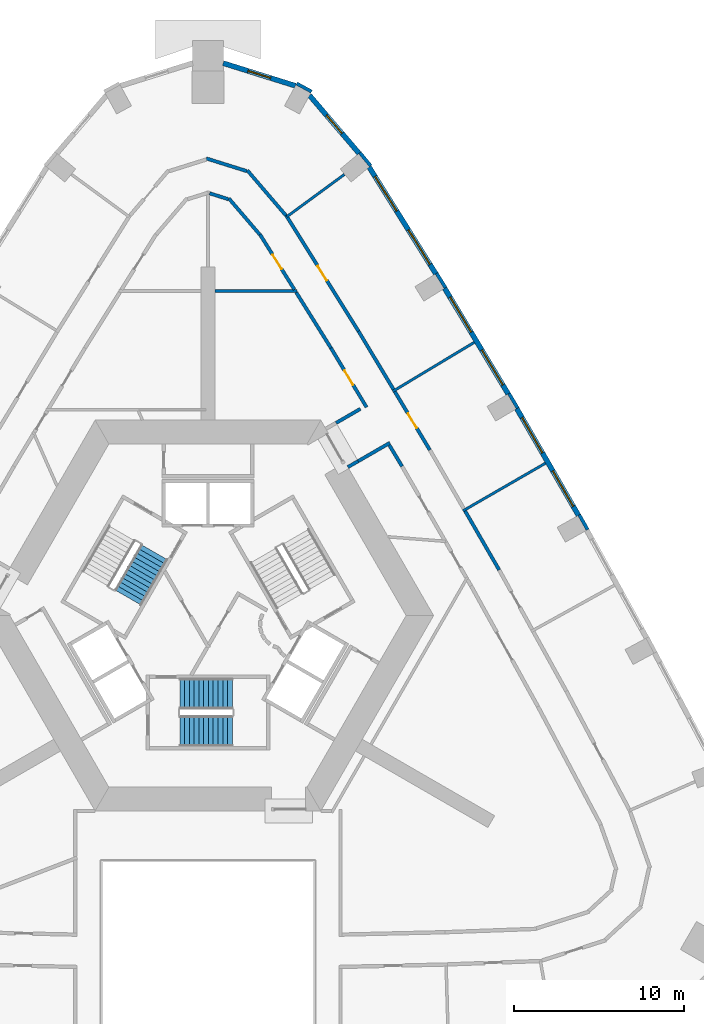
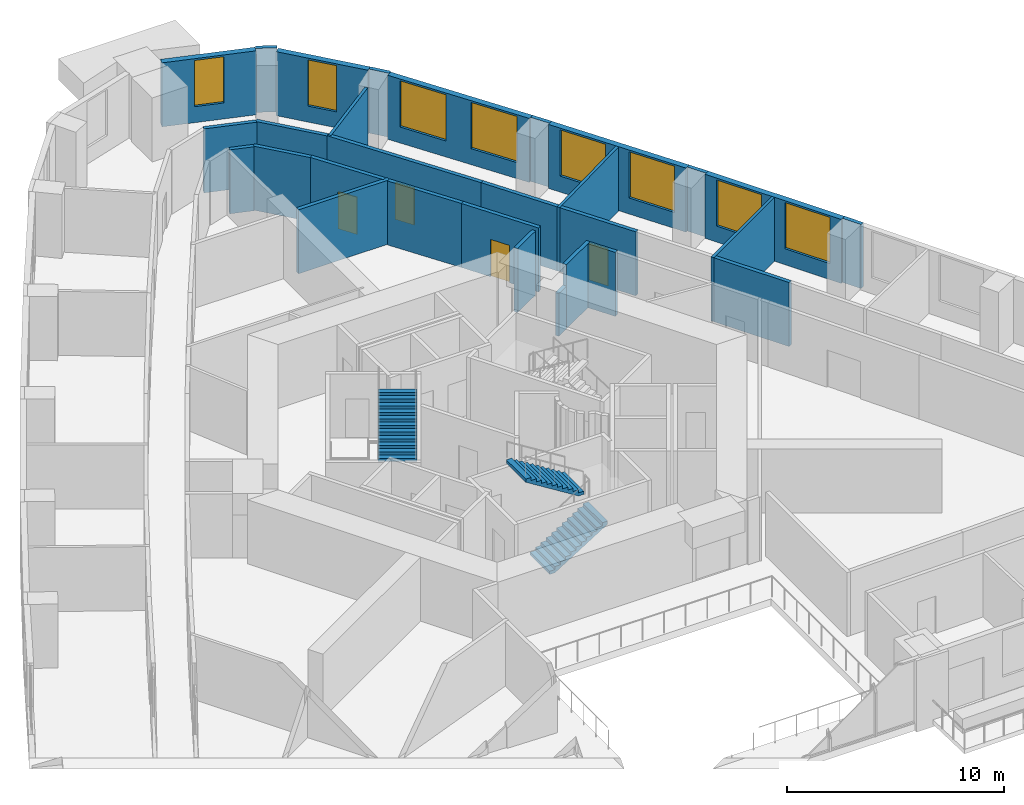
# One storey, part 9 of 13: 29 walls, 8 windows, 4 doors, 3 stair flights, 12 openings, 2 elements without a shape of their own.
"""IFC4 building model written with IfcOpenShell, lengths in metres."""

from ifc_helpers import new_model, si_unit, direction, frame, frame_2d, origin, place, context, subcontext, project, spatial, polyline, rectangle, outline, extrude, material, layer, layer_set, type_object, element, fill, aggregate, save


model = new_model("IFC4")

# Units and contexts
model_context = context("Model", 3, precision=1e-05, world=origin(), true_north=direction((0.0, 1.0)))
body_context = subcontext(model_context, "Body", "Model", "MODEL_VIEW")
ifc_project = project(units=[si_unit("LENGTHUNIT", "METRE"), si_unit("AREAUNIT", "SQUARE_METRE"), si_unit("VOLUMEUNIT", "CUBIC_METRE"), si_unit("PLANEANGLEUNIT", "RADIAN"), si_unit("MASSUNIT", "GRAM", prefix="KILO")], contexts=[model_context])

# Site, building, storey
site_placement = place(None, origin())
site = spatial("IfcSite", under=ifc_project, at=site_placement, CompositionType="ELEMENT")
building_placement = place(site_placement, origin())
building = spatial("IfcBuilding", under=site, at=building_placement, Name="Entoto Arch Interchange Tower", CompositionType="ELEMENT")
storey_placement = place(building_placement, frame((0.0, 0.0, 231.800048828125)))
storey = spatial("IfcBuildingStorey", under=building, at=storey_placement, Name="L52", CompositionType="ELEMENT", Elevation=231.800048828125)

# Walls
ifc_material_1 = material(Name="Gypsum board partition on steel studs", Category="steel")
ifc_layer_1 = layer(ifc_material_1, 0.14990234375)
ifc_layer_set_1 = layer_set([ifc_layer_1], Name="Gypsum board partition on steel studs")
wall_type_1 = type_object("IfcWallType", Name="PARTITION 150", PredefinedType="PARTITIONING", material=ifc_layer_set_1)
wall_1_placement = place(storey_placement, frame((15.010009765625, 8.6650390625, 0.0), z_axis=(0.0, 0.0, 1.0), x_axis=(0.865961984968, 0.500109828528, 0.0)))
element("IfcWall", 1, at=wall_1_placement, inside=storey, type_object=wall_type_1, Name="wall:L52:p118", PredefinedType="PARTITIONING", context=body_context, shape_type="SweptSolid", body=[
    extrude(rectangle(XDim=5.600830078125, YDim=0.14990234375, at=frame_2d((2.80029296875, 0.0))), origin(), (0.0, 0.0, 1.0), 3.599853515625),
])
wall_2_placement = place(storey_placement, frame((10.87109375, 15.69189453125, 0.0), z_axis=(0.0, 0.0, 1.0), x_axis=(0.857165756431, 0.515040645001, 0.0)))
element("IfcWall", 2, at=wall_2_placement, inside=storey, type_object=wall_type_1, Name="wall:L52:p119", PredefinedType="PARTITIONING", context=body_context, shape_type="SweptSolid", body=[
    extrude(rectangle(XDim=5.599609375, YDim=0.14990234375, at=frame_2d((2.7998046875, 0.0))), origin(), (0.0, 0.0, 1.0), 3.599853515625),
])
wall_3_placement = place(storey_placement, frame((4.64599609375, 25.97607421875, 0.0), z_axis=(0.0, 0.0, 1.0), x_axis=(0.806134630684, 0.591732166788, 0.0)))
element("IfcWall", 3, at=wall_3_placement, inside=storey, type_object=wall_type_1, Name="wall:L52:p120", PredefinedType="PARTITIONING", context=body_context, shape_type="SweptSolid", body=[
    extrude(rectangle(XDim=4.192626953125, YDim=0.14990234375, at=frame_2d((2.09619140625, 0.0))), origin(), (0.0, 0.0, 1.0), 3.599853515625),
])
ifc_layer_2 = layer(ifc_material_1, 0.199951171875)
ifc_layer_set_2 = layer_set([ifc_layer_2], Name="Gypsum board partition on steel studs")
wall_type_2 = type_object("IfcWallType", Name="PARTITION 200", PredefinedType="PARTITIONING", material=ifc_layer_set_2)
wall_4_placement = place(storey_placement, frame((11.419921875, 11.282958984375, 0.0), z_axis=(0.0, 0.0, 1.0), x_axis=(-0.514890585899, 0.857255903772, 0.0)))
element("IfcWall", 4, at=wall_4_placement, inside=storey, type_object=wall_type_2, Name="wall:L52:p007", PredefinedType="PARTITIONING", context=body_context, shape_type="SweptSolid", body=[
    extrude(rectangle(XDim=1.454833984375, YDim=0.199951171875, at=frame_2d((0.7275390625, 0.0))), origin(), (0.0, 0.0, 1.0), 3.599853515625),
])
wall_5_placement = place(storey_placement, frame((10.7060546875, 12.666015625, 0.0), z_axis=(0.0, 0.0, 1.0), x_axis=(-0.865862892194, -0.50028137275, 0.0)))
element("IfcWall", 5, at=wall_5_placement, inside=storey, type_object=wall_type_2, Name="wall:L52:p008", PredefinedType="PARTITIONING", context=body_context, shape_type="SweptSolid", body=[
    extrude(rectangle(XDim=2.155029296875, YDim=0.199951171875, at=frame_2d((1.07763671875, 0.0))), origin(), (0.0, 0.0, 1.0), 3.599853515625),
])

# Wall, opening, door
wall_6_placement = place(storey_placement, frame((9.33203125, 14.759033203125, 0.0), z_axis=(0.0, 0.0, 1.0), x_axis=(-0.514989912292, 0.857196237881, 0.0)))
wall_6 = element("IfcWall", 6, at=wall_6_placement, inside=storey, type_object=wall_type_2, Name="wall:L52:p010", PredefinedType="PARTITIONING", context=body_context, shape_type="SweptSolid", body=[
    extrude(rectangle(XDim=4.06787109375, YDim=0.199951171875, at=frame_2d((2.033935546875, 0.0))), origin(), (0.0, 0.0, 1.0), 3.599853515625),
])
opening_1_placement = place(wall_6_placement, frame((1.533935546875, 0.0, 0.0)))
opening_1 = element("IfcOpeningElement", 7, at=opening_1_placement, cuts=wall_6, Name="Opening L52-D16", PredefinedType="OPENING", context=body_context, shape_type="SweptSolid", body=[
    extrude(rectangle(XDim=1.0, YDim=2.10009765625, at=frame_2d((0.5, 1.050048828125))), frame((0.0, 0.10986328125, 0.0), z_axis=(0.0, -1.0, 0.0), x_axis=(1.0, 0.0, 0.0)), (0.0, 0.0, 1.0), 0.219970703125),
])
ifc_material_2 = material(Name="Timber door leaf in Steel S235 frame", Category="steel")
door_type = type_object("IfcDoorType", Name="DOOR DS-10 1000x2100", OperationType="SINGLE_SWING_LEFT", PredefinedType="DOOR", material=ifc_material_2)
door_1_placement = place(opening_1_placement, origin())
door_1 = element("IfcDoor", 8, at=door_1_placement, inside=storey, type_object=door_type, Name="door:L52:16", OperationType="SINGLE_SWING_LEFT", OverallHeight=2.10009765625, OverallWidth=1.0, PredefinedType="DOOR", context=body_context, shape_type="SweptSolid", body=[
    extrude(rectangle(XDim=1.0, YDim=2.10009765625, at=frame_2d((0.5, 1.050048828125))), frame((0.0, 0.02490234375, 0.0), z_axis=(0.0, -1.0, 0.0), x_axis=(1.0, 0.0, 0.0)), (0.0, 0.0, 1.0), 0.050048828125),
])
fill(opening_1, door_1)

# Wall
wall_7_placement = place(storey_placement, frame((7.237060546875, 18.24609375, 0.0), z_axis=(0.0, 0.0, 1.0), x_axis=(-0.530175390862, 0.847887996686, 0.0)))
element("IfcWall", 9, at=wall_7_placement, inside=storey, type_object=wall_type_2, Name="wall:L52:p011", PredefinedType="PARTITIONING", context=body_context, shape_type="SweptSolid", body=[
    extrude(rectangle(XDim=3.855224609375, YDim=0.199951171875, at=frame_2d((1.927734375, 0.0))), origin(), (0.0, 0.0, 1.0), 3.599853515625),
])

# Wall, opening, door
wall_8_placement = place(storey_placement, frame((5.0869140625, 21.68505859375, 0.0), z_axis=(0.0, 0.0, 1.0), x_axis=(-0.529998940003, 0.847998304005, 0.0)))
wall_8 = element("IfcWall", 10, at=wall_8_placement, inside=storey, type_object=wall_type_2, Name="wall:L52:p014", PredefinedType="PARTITIONING", context=body_context, shape_type="SweptSolid", body=[
    extrude(rectangle(XDim=3.830322265625, YDim=0.199951171875, at=frame_2d((1.9150390625, 0.0))), origin(), (0.0, 0.0, 1.0), 3.599853515625),
])
opening_2_placement = place(wall_8_placement, frame((1.416015625, 0.0, 0.0)))
opening_2 = element("IfcOpeningElement", 11, at=opening_2_placement, cuts=wall_8, Name="Opening L52-D18", PredefinedType="OPENING", context=body_context, shape_type="SweptSolid", body=[
    extrude(rectangle(XDim=1.0, YDim=2.10009765625, at=frame_2d((0.5, 1.050048828125))), frame((0.0, 0.10986328125, 0.0), z_axis=(0.0, -1.0, 0.0), x_axis=(1.0, 0.0, 0.0)), (0.0, 0.0, 1.0), 0.219970703125),
])
door_2_placement = place(opening_2_placement, origin())
door_2 = element("IfcDoor", 12, at=door_2_placement, inside=storey, type_object=door_type, Name="door:L52:18", OperationType="SINGLE_SWING_LEFT", OverallHeight=2.10009765625, OverallWidth=1.0, PredefinedType="DOOR", context=body_context, shape_type="SweptSolid", body=[
    extrude(rectangle(XDim=1.0, YDim=2.10009765625, at=frame_2d((0.5, 1.050048828125))), frame((0.0, 0.02490234375, 0.0), z_axis=(0.0, -1.0, 0.0), x_axis=(1.0, 0.0, 0.0)), (0.0, 0.0, 1.0), 0.050048828125),
])
fill(opening_2, door_2)

# Walls
wall_9_placement = place(storey_placement, frame((3.044921875, 24.925048828125, 0.0), z_axis=(0.0, 0.0, 1.0), x_axis=(-0.650057725157, 0.759884829407, 0.0)))
element("IfcWall", 13, at=wall_9_placement, inside=storey, type_object=wall_type_2, Name="wall:L52:p015", PredefinedType="PARTITIONING", context=body_context, shape_type="SweptSolid", body=[
    extrude(rectangle(XDim=2.79638671875, YDim=0.199951171875, at=frame_2d((1.398193359375, 0.0))), origin(), (0.0, 0.0, 1.0), 3.599853515625),
])
wall_10_placement = place(storey_placement, frame((1.196044921875, 27.00390625, 0.0), z_axis=(0.0, 0.0, 1.0), x_axis=(-0.954200976086, 0.29916633707, 0.0)))
element("IfcWall", 14, at=wall_10_placement, inside=storey, type_object=wall_type_2, Name="wall:L52:p016", PredefinedType="PARTITIONING", context=body_context, shape_type="SweptSolid", body=[
    extrude(rectangle(XDim=1.15380859375, YDim=0.199951171875, at=frame_2d((0.576904296875, 0.0))), origin(), (0.0, 0.0, 1.0), 3.599853515625),
])
wall_11_placement = place(storey_placement, frame((15.135009765625, 8.64990234375, 0.0), z_axis=(0.0, 0.0, 1.0), x_axis=(0.500102734445, -0.865966081899, 0.0)))
element("IfcWall", 15, at=wall_11_placement, inside=storey, type_object=wall_type_2, Name="wall:L52:p048", PredefinedType="PARTITIONING", context=body_context, shape_type="SweptSolid", body=[
    extrude(rectangle(XDim=4.001220703125, YDim=0.199951171875, at=frame_2d((2.00048828125, 0.0))), origin(), (0.0, 0.0, 1.0), 3.599853515625),
])

# Wall, opening, door
wall_12_placement = place(storey_placement, frame((10.99609375, 15.678955078125, 0.0), z_axis=(0.0, 0.0, 1.0), x_axis=(0.514800663461, -0.857309907152, 0.0)))
wall_12 = element("IfcWall", 16, at=wall_12_placement, inside=storey, type_object=wall_type_2, Name="wall:L52:p050", PredefinedType="PARTITIONING", context=body_context, shape_type="SweptSolid", body=[
    extrude(rectangle(XDim=4.003173828125, YDim=0.199951171875, at=frame_2d((2.00146484375, 0.0))), origin(), (0.0, 0.0, 1.0), 3.599853515625),
])
opening_3_placement = place(wall_12_placement, frame((1.501953125, 0.0, 0.0)))
opening_3 = element("IfcOpeningElement", 17, at=opening_3_placement, cuts=wall_12, Name="Opening L52-D06", PredefinedType="OPENING", context=body_context, shape_type="SweptSolid", body=[
    extrude(rectangle(XDim=1.0, YDim=2.10009765625, at=frame_2d((0.5, 1.050048828125))), frame((0.0, 0.10986328125, 0.0), z_axis=(0.0, -1.0, 0.0), x_axis=(1.0, 0.0, 0.0)), (0.0, 0.0, 1.0), 0.219970703125),
])
door_3_placement = place(opening_3_placement, origin())
door_3 = element("IfcDoor", 18, at=door_3_placement, inside=storey, type_object=door_type, Name="door:L52:06", OperationType="SINGLE_SWING_LEFT", OverallHeight=2.10009765625, OverallWidth=1.0, PredefinedType="DOOR", context=body_context, shape_type="SweptSolid", body=[
    extrude(rectangle(XDim=1.0, YDim=2.10009765625, at=frame_2d((0.5, 1.050048828125))), frame((0.0, 0.02490234375, 0.0), z_axis=(0.0, -1.0, 0.0), x_axis=(1.0, 0.0, 0.0)), (0.0, 0.0, 1.0), 0.050048828125),
])
fill(opening_3, door_3)

wall_13_placement = place(storey_placement, frame((4.593017578125, 26.06103515625, 0.0), z_axis=(0.0, 0.0, 1.0), x_axis=(0.530012579093, -0.847989779421, 0.0)))
wall_13 = element("IfcWall", 19, at=wall_13_placement, inside=storey, type_object=wall_type_2, Name="wall:L52:p052", PredefinedType="PARTITIONING", context=body_context, shape_type="SweptSolid", body=[
    extrude(rectangle(XDim=8.044921875, YDim=0.199951171875, at=frame_2d((4.0224609375, 0.0))), origin(), (0.0, 0.0, 1.0), 3.599853515625),
])
opening_4_placement = place(wall_13_placement, frame((3.52197265625, 0.0, 0.0)))
opening_4 = element("IfcOpeningElement", 20, at=opening_4_placement, cuts=wall_13, Name="Opening L52-D07", PredefinedType="OPENING", context=body_context, shape_type="SweptSolid", body=[
    extrude(rectangle(XDim=1.0, YDim=2.10009765625, at=frame_2d((0.5, 1.050048828125))), frame((0.0, 0.10986328125, 0.0), z_axis=(0.0, -1.0, 0.0), x_axis=(1.0, 0.0, 0.0)), (0.0, 0.0, 1.0), 0.219970703125),
])
door_4_placement = place(opening_4_placement, origin())
door_4 = element("IfcDoor", 21, at=door_4_placement, inside=storey, type_object=door_type, Name="door:L52:07", OperationType="SINGLE_SWING_LEFT", OverallHeight=2.10009765625, OverallWidth=1.0, PredefinedType="DOOR", context=body_context, shape_type="SweptSolid", body=[
    extrude(rectangle(XDim=1.0, YDim=2.10009765625, at=frame_2d((0.5, 1.050048828125))), frame((0.0, 0.02490234375, 0.0), z_axis=(0.0, -1.0, 0.0), x_axis=(1.0, 0.0, 0.0)), (0.0, 0.0, 1.0), 0.050048828125),
])
fill(opening_4, door_4)

# Walls
wall_14_placement = place(storey_placement, frame((8.85693359375, 19.239013671875, 0.0), z_axis=(0.0, 0.0, 1.0), x_axis=(0.514953174362, -0.857218308376, 0.0)))
element("IfcWall", 22, at=wall_14_placement, inside=storey, type_object=wall_type_2, Name="wall:L52:p053", PredefinedType="PARTITIONING", context=body_context, shape_type="SweptSolid", body=[
    extrude(rectangle(XDim=4.00244140625, YDim=0.199951171875, at=frame_2d((2.001220703125, 0.0))), origin(), (0.0, 0.0, 1.0), 3.599853515625),
])
wall_15_placement = place(storey_placement, frame((-0.094970703125, 29.39990234375, 0.0), z_axis=(0.0, 0.0, 1.0), x_axis=(0.954235803916, -0.29905522989, 0.0)))
element("IfcWall", 23, at=wall_15_placement, inside=storey, type_object=wall_type_2, Name="wall:L52:p056", PredefinedType="PARTITIONING", context=body_context, shape_type="SweptSolid", body=[
    extrude(rectangle(XDim=2.494140625, YDim=0.199951171875, at=frame_2d((1.2470703125, 0.0))), origin(), (0.0, 0.0, 1.0), 3.599853515625),
])
wall_16_placement = place(storey_placement, frame((2.31591796875, 28.699951171875, 0.0), z_axis=(0.0, 0.0, 1.0), x_axis=(0.650040973726, -0.759899159413, 0.0)))
element("IfcWall", 24, at=wall_16_placement, inside=storey, type_object=wall_type_2, Name="wall:L52:p057", PredefinedType="PARTITIONING", context=body_context, shape_type="SweptSolid", body=[
    extrude(rectangle(XDim=3.484619140625, YDim=0.199951171875, at=frame_2d((1.7421875, 0.0))), origin(), (0.0, 0.0, 1.0), 3.599853515625),
])
wall_17_placement = place(storey_placement, frame((0.39990234375, 21.60009765625, 0.0), z_axis=(0.0, 0.0, 1.0), x_axis=(1.0, 0.0, 0.0)))
element("IfcWall", 25, at=wall_17_placement, inside=storey, type_object=wall_type_2, Name="wall:L52:p106", PredefinedType="PARTITIONING", context=body_context, shape_type="SweptSolid", body=[
    extrude(rectangle(XDim=4.840087890625, YDim=0.199951171875, at=frame_2d((2.419921875, 0.0))), origin(), (0.0, 0.0, 1.0), 3.599853515625),
])
wall_18_placement = place(storey_placement, frame((8.840087890625, 11.587890625, 0.0), z_axis=(0.0, 0.0, 1.0), x_axis=(-0.866110083249, -0.499853302173, 0.0)))
element("IfcWall", 26, at=wall_18_placement, inside=storey, type_object=wall_type_2, Name="wall:L52:p008", PredefinedType="PARTITIONING", context=body_context, shape_type="SweptSolid", body=[
    extrude(rectangle(XDim=0.699951171875, YDim=0.199951171875, at=frame_2d((0.35009765625, 0.0))), origin(), (0.0, 0.0, 1.0), 2.39990234375),
])
wall_19_placement = place(storey_placement, frame((7.541015625, 13.837890625, 0.0), z_axis=(0.0, 0.0, 1.0), x_axis=(0.86593636949, 0.500154180222, 0.0)))
element("IfcWall", 27, at=wall_19_placement, inside=storey, type_object=wall_type_2, Name="wall:L52:p009", PredefinedType="PARTITIONING", context=body_context, shape_type="SweptSolid", body=[
    extrude(rectangle(XDim=1.64794921875, YDim=0.199951171875, at=frame_2d((0.823974609375, 0.0))), origin(), (0.0, 0.0, 1.0), 3.599853515625),
])

# Wall, openings, windows
ifc_material_3 = material(Name="Welded tuff (ignimbrite) cladding, warm buff", Category="masonry")
ifc_layer_3 = layer(ifc_material_3, 0.300048828125)
ifc_layer_set_3 = layer_set([ifc_layer_3], Name="Welded tuff (ignimbrite) cladding, warm buff")
wall_type_3 = type_object("IfcWallType", Name="STONE INFILL WALL 300", PredefinedType="STANDARD", material=ifc_layer_set_3)
wall_20_placement = place(storey_placement, frame((21.803955078125, 8.39892578125, 0.0), z_axis=(0.0, 0.0, 1.0), x_axis=(-0.500075798504, 0.865981637075, 0.0)))
wall_20 = element("IfcWall", 28, at=wall_20_placement, inside=storey, type_object=wall_type_3, Name="Facade wall NE-03 L52", PredefinedType="STANDARD", context=body_context, shape_type="SweptSolid", body=[
    extrude(rectangle(XDim=7.256591796875, YDim=0.300048828125, at=frame_2d((3.62841796875, 0.0))), origin(), (0.0, 0.0, 1.0), 3.599853515625),
])
opening_5_placement = place(wall_20_placement, frame((0.614013671875, 0.0, 0.89990234375)))
opening_5 = element("IfcOpeningElement", 29, at=opening_5_placement, cuts=wall_20, Name="Opening WO-A", PredefinedType="OPENING", context=body_context, shape_type="SweptSolid", body=[
    extrude(rectangle(XDim=2.39990234375, YDim=2.60009765625, at=frame_2d((1.199951171875, 1.300048828125))), frame((0.0, 0.16015625, 0.0), z_axis=(0.0, -1.0, 0.0), x_axis=(1.0, 0.0, 0.0)), (0.0, 0.0, 1.0), 0.320068359375),
])
opening_6_placement = place(wall_20_placement, frame((4.241943359375, 0.0, 0.89990234375)))
opening_6 = element("IfcOpeningElement", 30, at=opening_6_placement, cuts=wall_20, Name="Opening WO-A", PredefinedType="OPENING", context=body_context, shape_type="SweptSolid", body=[
    extrude(rectangle(XDim=2.39990234375, YDim=2.60009765625, at=frame_2d((1.199951171875, 1.300048828125))), frame((0.0, 0.16015625, 0.0), z_axis=(0.0, -1.0, 0.0), x_axis=(1.0, 0.0, 0.0)), (0.0, 0.0, 1.0), 0.320068359375),
])
ifc_material_4 = material(Name="Clear glass, low-e double glazed", Category="glass")
window_type_1 = type_object("IfcWindowType", Name="WINDOW WO-A 2400x2600", PartitioningType="DOUBLE_PANEL_VERTICAL", PredefinedType="WINDOW", material=ifc_material_4)
window_1_placement = place(opening_5_placement, origin())
window_1 = element("IfcWindow", 31, at=window_1_placement, inside=storey, type_object=window_type_1, Name="Window WO-A NE-03 L52", OverallHeight=2.60009765625, OverallWidth=2.39990234375, PartitioningType="SINGLE_PANEL", PredefinedType="WINDOW", context=body_context, shape_type="SweptSolid", body=[
    extrude(rectangle(XDim=2.39990234375, YDim=2.60009765625, at=frame_2d((1.199951171875, 1.300048828125))), frame((0.0, 0.030029296875, 0.0), z_axis=(0.0, -1.0, 0.0), x_axis=(1.0, 0.0, 0.0)), (0.0, 0.0, 1.0), 0.06005859375),
])
fill(opening_5, window_1)
window_2_placement = place(opening_6_placement, origin())
window_2 = element("IfcWindow", 32, at=window_2_placement, inside=storey, type_object=window_type_1, Name="Window WO-A NE-03 L52", OverallHeight=2.60009765625, OverallWidth=2.39990234375, PartitioningType="SINGLE_PANEL", PredefinedType="WINDOW", context=body_context, shape_type="SweptSolid", body=[
    extrude(rectangle(XDim=2.39990234375, YDim=2.60009765625, at=frame_2d((1.199951171875, 1.300048828125))), frame((0.0, 0.030029296875, 0.0), z_axis=(0.0, -1.0, 0.0), x_axis=(1.0, 0.0, 0.0)), (0.0, 0.0, 1.0), 0.06005859375),
])
fill(opening_6, window_2)

wall_21_placement = place(storey_placement, frame((17.6689453125, 15.5419921875, 0.0), z_axis=(0.0, 0.0, 1.0), x_axis=(-0.515049705348, 0.857160312323, 0.0)))
wall_21 = element("IfcWall", 33, at=wall_21_placement, inside=storey, type_object=wall_type_3, Name="Facade wall NE-04 L52", PredefinedType="STANDARD", context=body_context, shape_type="SweptSolid", body=[
    extrude(rectangle(XDim=7.257568359375, YDim=0.300048828125, at=frame_2d((3.62890625, 0.0))), origin(), (0.0, 0.0, 1.0), 3.599853515625),
])
opening_7_placement = place(wall_21_placement, frame((0.614013671875, 0.0, 0.89990234375)))
opening_7 = element("IfcOpeningElement", 34, at=opening_7_placement, cuts=wall_21, Name="Opening WO-A", PredefinedType="OPENING", context=body_context, shape_type="SweptSolid", body=[
    extrude(rectangle(XDim=2.39990234375, YDim=2.60009765625, at=frame_2d((1.199951171875, 1.300048828125))), frame((0.0, 0.16015625, 0.0), z_axis=(0.0, -1.0, 0.0), x_axis=(1.0, 0.0, 0.0)), (0.0, 0.0, 1.0), 0.320068359375),
])
opening_8_placement = place(wall_21_placement, frame((4.242919921875, 0.0, 0.89990234375)))
opening_8 = element("IfcOpeningElement", 35, at=opening_8_placement, cuts=wall_21, Name="Opening WO-A", PredefinedType="OPENING", context=body_context, shape_type="SweptSolid", body=[
    extrude(rectangle(XDim=2.39990234375, YDim=2.60009765625, at=frame_2d((1.199951171875, 1.300048828125))), frame((0.0, 0.16015625, 0.0), z_axis=(0.0, -1.0, 0.0), x_axis=(1.0, 0.0, 0.0)), (0.0, 0.0, 1.0), 0.320068359375),
])
window_3_placement = place(opening_7_placement, origin())
window_3 = element("IfcWindow", 36, at=window_3_placement, inside=storey, type_object=window_type_1, Name="Window WO-A NE-04 L52", OverallHeight=2.60009765625, OverallWidth=2.39990234375, PartitioningType="SINGLE_PANEL", PredefinedType="WINDOW", context=body_context, shape_type="SweptSolid", body=[
    extrude(rectangle(XDim=2.39990234375, YDim=2.60009765625, at=frame_2d((1.199951171875, 1.300048828125))), frame((0.0, 0.030029296875, 0.0), z_axis=(0.0, -1.0, 0.0), x_axis=(1.0, 0.0, 0.0)), (0.0, 0.0, 1.0), 0.06005859375),
])
fill(opening_7, window_3)
window_4_placement = place(opening_8_placement, origin())
window_4 = element("IfcWindow", 37, at=window_4_placement, inside=storey, type_object=window_type_1, Name="Window WO-A NE-04 L52", OverallHeight=2.60009765625, OverallWidth=2.39990234375, PartitioningType="SINGLE_PANEL", PredefinedType="WINDOW", context=body_context, shape_type="SweptSolid", body=[
    extrude(rectangle(XDim=2.39990234375, YDim=2.60009765625, at=frame_2d((1.199951171875, 1.300048828125))), frame((0.0, 0.030029296875, 0.0), z_axis=(0.0, -1.0, 0.0), x_axis=(1.0, 0.0, 0.0)), (0.0, 0.0, 1.0), 0.06005859375),
])
fill(opening_8, window_4)

wall_22_placement = place(storey_placement, frame((13.409912109375, 22.614013671875, 0.0), z_axis=(0.0, 0.0, 1.0), x_axis=(-0.530037467052, 0.847974223383, 0.0)))
wall_22 = element("IfcWall", 38, at=wall_22_placement, inside=storey, type_object=wall_type_3, Name="Facade wall NE-05 L52", PredefinedType="STANDARD", context=body_context, shape_type="SweptSolid", body=[
    extrude(rectangle(XDim=7.40478515625, YDim=0.300048828125, at=frame_2d((3.702392578125, 0.0))), origin(), (0.0, 0.0, 1.0), 3.599853515625),
])
opening_9_placement = place(wall_22_placement, frame((0.65087890625, 0.0, 0.89990234375)))
opening_9 = element("IfcOpeningElement", 39, at=opening_9_placement, cuts=wall_22, Name="Opening WO-A", PredefinedType="OPENING", context=body_context, shape_type="SweptSolid", body=[
    extrude(rectangle(XDim=2.39990234375, YDim=2.60009765625, at=frame_2d((1.199951171875, 1.300048828125))), frame((0.0, 0.16015625, 0.0), z_axis=(0.0, -1.0, 0.0), x_axis=(1.0, 0.0, 0.0)), (0.0, 0.0, 1.0), 0.320068359375),
])
opening_10_placement = place(wall_22_placement, frame((4.35400390625, 0.0, 0.89990234375)))
opening_10 = element("IfcOpeningElement", 40, at=opening_10_placement, cuts=wall_22, Name="Opening WO-A", PredefinedType="OPENING", context=body_context, shape_type="SweptSolid", body=[
    extrude(rectangle(XDim=2.39990234375, YDim=2.60009765625, at=frame_2d((1.199951171875, 1.300048828125))), frame((0.0, 0.16015625, 0.0), z_axis=(0.0, -1.0, 0.0), x_axis=(1.0, 0.0, 0.0)), (0.0, 0.0, 1.0), 0.320068359375),
])
window_5_placement = place(opening_9_placement, origin())
window_5 = element("IfcWindow", 41, at=window_5_placement, inside=storey, type_object=window_type_1, Name="Window WO-A NE-05 L52", OverallHeight=2.60009765625, OverallWidth=2.39990234375, PartitioningType="SINGLE_PANEL", PredefinedType="WINDOW", context=body_context, shape_type="SweptSolid", body=[
    extrude(rectangle(XDim=2.39990234375, YDim=2.60009765625, at=frame_2d((1.199951171875, 1.300048828125))), frame((0.0, 0.030029296875, 0.0), z_axis=(0.0, -1.0, 0.0), x_axis=(1.0, 0.0, 0.0)), (0.0, 0.0, 1.0), 0.06005859375),
])
fill(opening_9, window_5)
window_6_placement = place(opening_10_placement, origin())
window_6 = element("IfcWindow", 42, at=window_6_placement, inside=storey, type_object=window_type_1, Name="Window WO-A NE-05 L52", OverallHeight=2.60009765625, OverallWidth=2.39990234375, PartitioningType="SINGLE_PANEL", PredefinedType="WINDOW", context=body_context, shape_type="SweptSolid", body=[
    extrude(rectangle(XDim=2.39990234375, YDim=2.60009765625, at=frame_2d((1.199951171875, 1.300048828125))), frame((0.0, 0.030029296875, 0.0), z_axis=(0.0, -1.0, 0.0), x_axis=(1.0, 0.0, 0.0)), (0.0, 0.0, 1.0), 0.06005859375),
])
fill(opening_10, window_6)

# Wall, opening, window
wall_23_placement = place(storey_placement, frame((8.89501953125, 29.699951171875, 0.0), z_axis=(0.0, 0.0, 1.0), x_axis=(-0.649967502437, 0.75996200285, 0.0)))
wall_23 = element("IfcWall", 43, at=wall_23_placement, inside=storey, type_object=wall_type_3, Name="Facade wall N-01 L52", PredefinedType="STANDARD", context=body_context, shape_type="SweptSolid", body=[
    extrude(rectangle(XDim=4.492431640625, YDim=0.300048828125, at=frame_2d((2.24609375, 0.0))), origin(), (0.0, 0.0, 1.0), 3.599853515625),
])
opening_11_placement = place(wall_23_placement, frame((1.5458984375, 0.0, 0.89990234375)))
opening_11 = element("IfcOpeningElement", 44, at=opening_11_placement, cuts=wall_23, Name="Opening WO-B", PredefinedType="OPENING", context=body_context, shape_type="SweptSolid", body=[
    extrude(rectangle(XDim=1.39990234375, YDim=2.60009765625, at=frame_2d((0.699951171875, 1.300048828125))), frame((0.0, 0.16015625, 0.0), z_axis=(0.0, -1.0, 0.0), x_axis=(1.0, 0.0, 0.0)), (0.0, 0.0, 1.0), 0.320068359375),
])
window_type_2 = type_object("IfcWindowType", Name="WINDOW WO-B 1400x2600", PartitioningType="DOUBLE_PANEL_VERTICAL", PredefinedType="WINDOW", material=ifc_material_4)
window_7_placement = place(opening_11_placement, origin())
window_7 = element("IfcWindow", 45, at=window_7_placement, inside=storey, type_object=window_type_2, Name="Window WO-B N-01 L52", OverallHeight=2.60009765625, OverallWidth=1.39990234375, PartitioningType="SINGLE_PANEL", PredefinedType="WINDOW", context=body_context, shape_type="SweptSolid", body=[
    extrude(rectangle(XDim=1.39990234375, YDim=2.60009765625, at=frame_2d((0.699951171875, 1.300048828125))), frame((0.0, 0.030029296875, 0.0), z_axis=(0.0, -1.0, 0.0), x_axis=(1.0, 0.0, 0.0)), (0.0, 0.0, 1.0), 0.06005859375),
])
fill(opening_11, window_7)

wall_24_placement = place(storey_placement, frame((5.14599609375, 33.678955078125, 0.0), z_axis=(0.0, 0.0, 1.0), x_axis=(-0.95429628924, 0.298862162783, 0.0)))
wall_24 = element("IfcWall", 46, at=wall_24_placement, inside=storey, type_object=wall_type_3, Name="Facade wall N-02 L52", PredefinedType="STANDARD", context=body_context, shape_type="SweptSolid", body=[
    extrude(rectangle(XDim=4.450439453125, YDim=0.300048828125, at=frame_2d((2.22509765625, 0.0))), origin(), (0.0, 0.0, 1.0), 3.599853515625),
])
opening_12_placement = place(wall_24_placement, frame((1.52490234375, 0.0, 0.89990234375)))
opening_12 = element("IfcOpeningElement", 47, at=opening_12_placement, cuts=wall_24, Name="Opening WO-B", PredefinedType="OPENING", context=body_context, shape_type="SweptSolid", body=[
    extrude(rectangle(XDim=1.39990234375, YDim=2.60009765625, at=frame_2d((0.699951171875, 1.300048828125))), frame((0.0, 0.16015625, 0.0), z_axis=(0.0, -1.0, 0.0), x_axis=(1.0, 0.0, 0.0)), (0.0, 0.0, 1.0), 0.320068359375),
])
window_8_placement = place(opening_12_placement, origin())
window_8 = element("IfcWindow", 48, at=window_8_placement, inside=storey, type_object=window_type_2, Name="Window WO-B N-02 L52", OverallHeight=2.60009765625, OverallWidth=1.39990234375, PartitioningType="SINGLE_PANEL", PredefinedType="WINDOW", context=body_context, shape_type="SweptSolid", body=[
    extrude(rectangle(XDim=1.39990234375, YDim=2.60009765625, at=frame_2d((0.699951171875, 1.300048828125))), frame((0.0, 0.030029296875, 0.0), z_axis=(0.0, -1.0, 0.0), x_axis=(1.0, 0.0, 0.0)), (0.0, 0.0, 1.0), 0.06005859375),
])
fill(opening_12, window_8)

# Walls
ifc_layer_4 = layer(ifc_material_3, 0.199951171875)
ifc_layer_set_4 = layer_set([ifc_layer_4], Name="Welded tuff (ignimbrite) cladding, warm buff")
wall_type_4 = type_object("IfcWallType", Name="STONE PIER CLADDING 200", PredefinedType="STANDARD", material=ifc_layer_set_4)
wall_25_placement = place(storey_placement, frame((6.095947265625, 33.333984375, 0.0), z_axis=(0.0, 0.0, 1.0), x_axis=(-0.878250009632, 0.478201757191, 0.0)))
element("IfcWall", 49, at=wall_25_placement, inside=storey, type_object=wall_type_4, Name="Stone pier N1 L52", PredefinedType="STANDARD", context=body_context, shape_type="SweptSolid", body=[
    extrude(rectangle(XDim=0.999755859375, YDim=0.199951171875, at=frame_2d((0.5, 0.0))), origin(), (0.0, 0.0, 1.0), 3.599853515625),
])
wall_26_placement = place(storey_placement, frame((22.343017578125, 7.555908203125, 0.0), z_axis=(0.0, 0.0, 1.0), x_axis=(-0.491743606947, 0.87074004446, 0.0)))
element("IfcWall", 50, at=wall_26_placement, inside=storey, type_object=wall_type_4, Name="Stone pier NE03 L52", PredefinedType="STANDARD", context=body_context, shape_type="SweptSolid", body=[
    extrude(rectangle(XDim=1.00048828125, YDim=0.199951171875, at=frame_2d((0.500244140625, 0.0))), origin(), (0.0, 0.0, 1.0), 3.599853515625),
])
wall_27_placement = place(storey_placement, frame((18.222900390625, 14.7099609375, 0.0), z_axis=(0.0, 0.0, 1.0), x_axis=(-0.507980373775, 0.861368643416, 0.0)))
element("IfcWall", 51, at=wall_27_placement, inside=storey, type_object=wall_type_4, Name="Stone pier NE04 L52", PredefinedType="STANDARD", context=body_context, shape_type="SweptSolid", body=[
    extrude(rectangle(XDim=0.999755859375, YDim=0.199951171875, at=frame_2d((0.5, 0.0))), origin(), (0.0, 0.0, 1.0), 3.599853515625),
])
wall_28_placement = place(storey_placement, frame((13.97998046875, 21.7919921875, 0.0), z_axis=(0.0, 0.0, 1.0), x_axis=(-0.525648735675, 0.850701714282, 0.0)))
element("IfcWall", 52, at=wall_28_placement, inside=storey, type_object=wall_type_4, Name="Stone pier NE05 L52", PredefinedType="STANDARD", context=body_context, shape_type="SweptSolid", body=[
    extrude(rectangle(XDim=1.00048828125, YDim=0.199951171875, at=frame_2d((0.500244140625, 0.0))), origin(), (0.0, 0.0, 1.0), 3.599853515625),
])
wall_29_placement = place(storey_placement, frame((9.576904296875, 28.968017578125, 0.0), z_axis=(0.0, 0.0, 1.0), x_axis=(-0.637972365578, 0.770059257953, 0.0)))
element("IfcWall", 53, at=wall_29_placement, inside=storey, type_object=wall_type_4, Name="Stone pier NE06 L52", PredefinedType="STANDARD", context=body_context, shape_type="SweptSolid", body=[
    extrude(rectangle(XDim=1.0, YDim=0.199951171875, at=frame_2d((0.5, 0.0))), origin(), (0.0, 0.0, 1.0), 3.599853515625),
])

# Stair, stair flights
ifc_material_5 = material(Name="Concrete C40/50", Category="concrete")
stair_type = type_object("IfcStairType", Name="EXIT STAIR RC 1800", PredefinedType="HALF_TURN_STAIR", material=ifc_material_5)
stair_1_placement = place(storey_placement, origin())
stair_1 = element("IfcStair", 54, at=stair_1_placement, inside=storey, type_object=stair_type, Name="L52 Exit stair S", PredefinedType="HALF_TURN_STAIR")
stair_flight_type = type_object("IfcStairFlightType", Name="EXIT STAIR FLIGHT RC 1800", PredefinedType="STRAIGHT", material=ifc_material_5)
stair_flight_1_placement = place(storey_placement, frame((-1.64990234375, -4.300048828125, 0.0), z_axis=(0.0, 0.0, 1.0), x_axis=(1.0, 0.0, 0.0)))
stair_flight_1 = element("IfcStairFlight", 55, at=stair_flight_1_placement, type_object=stair_flight_type, Name="ST-S flight 1", NumberOfRisers=12, NumberOfTreads=11, PredefinedType="STRAIGHT", RiserHeight=0.175, TreadLength=0.28, context=body_context, shape_type="SweptSolid", body=[
    extrude(outline(polyline([(-0.0029296875, 0.0), (-0.0029296875, 0.175048828125), (0.280029296875, 0.175048828125), (0.280029296875, 0.35009765625), (0.56005859375, 0.35009765625), (0.56005859375, 0.52490234375), (0.840087890625, 0.52490234375), (0.840087890625, 0.699951171875), (1.1201171875, 0.699951171875), (1.1201171875, 0.875), (1.39990234375, 0.875), (1.39990234375, 1.050048828125), (1.679931640625, 1.050048828125), (1.679931640625, 1.22509765625), (1.9599609375, 1.22509765625), (1.9599609375, 1.39990234375), (2.239990234375, 1.39990234375), (2.239990234375, 1.574951171875), (2.52001953125, 1.574951171875), (2.52001953125, 1.75), (2.800048828125, 1.75), (2.800048828125, 1.925048828125), (3.080078125, 1.925048828125), (3.0830078125, 1.925048828125), (3.0830078125, 1.75), (0.28271484375, 0.0), (-0.0029296875, 0.0)])), frame((0.0, 0.89990234375, 0.0), z_axis=(0.0, -1.0, 0.0), x_axis=(1.0, 0.0, 0.0)), (0.0, 0.0, 1.0), 1.800048828125),
])
stair_flight_2_placement = place(storey_placement, frame((1.429931640625, -2.10009765625, 2.099853515625), z_axis=(0.0, 0.0, 1.0), x_axis=(-1.0, 0.0, 0.0)))
stair_flight_2 = element("IfcStairFlight", 56, at=stair_flight_2_placement, type_object=stair_flight_type, Name="ST-S flight 2", NumberOfRisers=12, NumberOfTreads=11, PredefinedType="STRAIGHT", RiserHeight=0.175, TreadLength=0.28, context=body_context, shape_type="SweptSolid", body=[
    extrude(outline(polyline([(-0.0029296875, 0.0), (-0.0029296875, 0.175048828125), (0.280029296875, 0.175048828125), (0.280029296875, 0.35009765625), (0.56005859375, 0.35009765625), (0.56005859375, 0.52490234375), (0.840087890625, 0.52490234375), (0.840087890625, 0.699951171875), (1.1201171875, 0.699951171875), (1.1201171875, 0.875), (1.39990234375, 0.875), (1.39990234375, 1.050048828125), (1.679931640625, 1.050048828125), (1.679931640625, 1.22509765625), (1.9599609375, 1.22509765625), (1.9599609375, 1.39990234375), (2.239990234375, 1.39990234375), (2.239990234375, 1.574951171875), (2.52001953125, 1.574951171875), (2.52001953125, 1.75), (2.800048828125, 1.75), (2.800048828125, 1.925048828125), (3.080078125, 1.925048828125), (3.0830078125, 1.925048828125), (3.0830078125, 1.75), (0.28271484375, 0.0), (-0.0029296875, 0.0)])), frame((0.0, 0.89990234375, 0.0), z_axis=(0.0, -1.0, 0.0), x_axis=(1.0, 0.0, 0.0)), (0.0, 0.0, 1.0), 1.800048828125),
])
aggregate(stair_1, [stair_flight_1, stair_flight_2])

# Stair, stair flight
stair_2_placement = place(storey_placement, origin())
stair_2 = element("IfcStair", 57, at=stair_2_placement, inside=storey, type_object=stair_type, Name="L52 Exit stair NW", PredefinedType="HALF_TURN_STAIR")
stair_flight_3_placement = place(storey_placement, frame((-4.69873046875, 3.5615234375, 2.099853515625), z_axis=(0.0, 0.0, 1.0), x_axis=(0.5, 0.866025403784, 0.0)))
stair_flight_3 = element("IfcStairFlight", 58, at=stair_flight_3_placement, type_object=stair_flight_type, Name="ST-NW flight 2", NumberOfRisers=12, NumberOfTreads=11, PredefinedType="STRAIGHT", RiserHeight=0.175, TreadLength=0.28, context=body_context, shape_type="SweptSolid", body=[
    extrude(outline(polyline([(-0.0029296875, 0.0), (-0.0029296875, 0.175048828125), (0.280029296875, 0.175048828125), (0.280029296875, 0.35009765625), (0.56005859375, 0.35009765625), (0.56005859375, 0.52490234375), (0.840087890625, 0.52490234375), (0.840087890625, 0.699951171875), (1.1201171875, 0.699951171875), (1.1201171875, 0.875), (1.39990234375, 0.875), (1.39990234375, 1.050048828125), (1.679931640625, 1.050048828125), (1.679931640625, 1.22509765625), (1.9599609375, 1.22509765625), (1.9599609375, 1.39990234375), (2.239990234375, 1.39990234375), (2.239990234375, 1.574951171875), (2.52001953125, 1.574951171875), (2.52001953125, 1.75), (2.800048828125, 1.75), (2.800048828125, 1.925048828125), (3.080078125, 1.925048828125), (3.0830078125, 1.925048828125), (3.0830078125, 1.75), (0.28271484375, 0.0), (-0.0029296875, 0.0)])), frame((0.0, 0.89990234375, 0.0), z_axis=(0.0, -1.0, 0.0), x_axis=(1.0, 0.0, 0.0)), (0.0, 0.0, 1.0), 1.800048828125),
])
aggregate(stair_2, [stair_flight_3])

save(model, "model.ifc")
